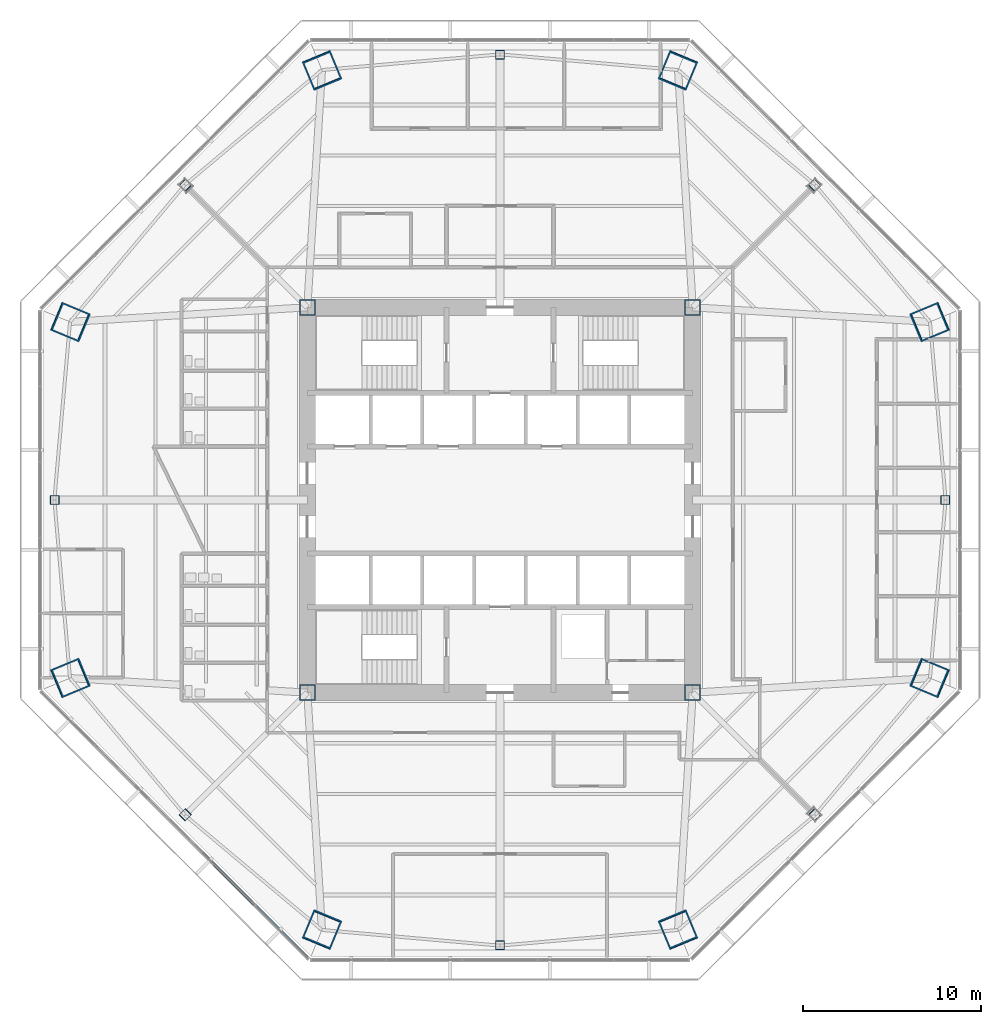
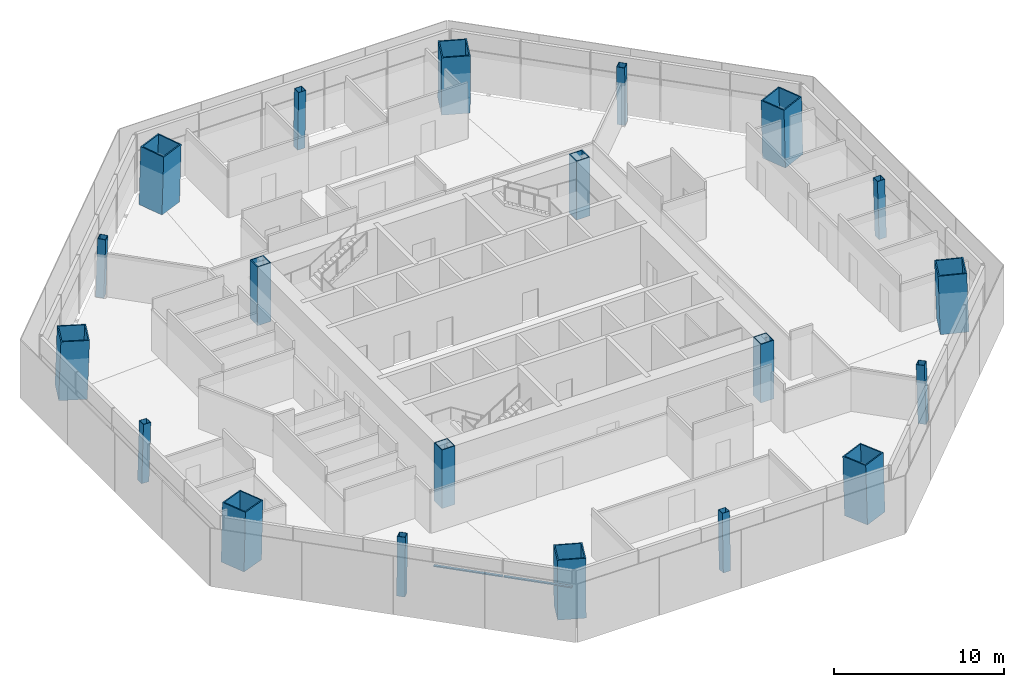
# One storey, part 1 of 16: 20 columns, 2 members, 1 element without a shape of its own.
"""IFC4 building model written with IfcOpenShell, lengths in metres."""

from ifc_helpers import new_model, si_unit, direction, frame, origin, origin_2d, place, context, subcontext, project, spatial, rectangle, hollow_rectangle, extrude, source, transform, mapped, material, material_profile, profile_set, type_object, type_shapes, element, aggregate, save


model = new_model("IFC4")

# Units and contexts
model_context = context("Model", 3, precision=1e-05, world=origin(), true_north=direction((0.0, 1.0)))
body_context = subcontext(model_context, "Body", "Model", "MODEL_VIEW")
ifc_project = project(units=[si_unit("LENGTHUNIT", "METRE"), si_unit("AREAUNIT", "SQUARE_METRE"), si_unit("VOLUMEUNIT", "CUBIC_METRE"), si_unit("PLANEANGLEUNIT", "RADIAN"), si_unit("MASSUNIT", "GRAM", prefix="KILO")], contexts=[model_context])

# Site, building, storey
site_placement = place(None, origin())
site = spatial("IfcSite", under=ifc_project, at=site_placement, CompositionType="ELEMENT")
building_placement = place(site_placement, origin())
building = spatial("IfcBuilding", under=site, at=building_placement, Name="Mashrafa Tower", CompositionType="ELEMENT")
storey_placement = place(building_placement, frame((0.0, 0.0, 79.199951171875)))
storey = spatial("IfcBuildingStorey", under=building, at=storey_placement, Name="L17", CompositionType="ELEMENT", Elevation=79.199951171875)

# Columns
ifc_material_1 = material(Name="Steel ASTM A572 Gr 50", Category="steel")
ifc_material_profile_1 = material_profile(ifc_material_1, hollow_rectangle(XDim=0.89990234375, YDim=0.89990234375, WallThickness=0.06005859375, at=origin_2d()), Name="BOX900X900X60")
ifc_profile_set_1 = profile_set([ifc_material_profile_1], Name="Steel ASTM A572 Gr 50")
column_type_1 = type_object("IfcColumnType", Name="Core corner column BOX900X900X60", PredefinedType="COLUMN", material=ifc_profile_set_1)
for number, where, z_axis, x_axis, name in (
    (1, (10.800048828125, 10.800048828125, 0.0), (0.0, 0.0, 1.0), (1.0, 0.0, 0.0), "Core corner column CC-NE L17"),
    (2, (-10.800048828125, 10.800048828125, 0.0), (0.0, 0.0, 1.0), (1.0, 0.0, 0.0), "Core corner column CC-NW L17"),
    (3, (-10.800048828125, -10.800048828125, 0.0), (0.0, 0.0, 1.0), (1.0, 0.0, 0.0), "Core corner column CC-SW L17"),
    (4, (10.800048828125, -10.800048828125, 0.0), (0.0, 0.0, 1.0), (1.0, 0.0, 0.0), "Core corner column CC-SE L17"),
):
    element("IfcColumn", number, at=place(storey_placement, frame(where, z_axis=z_axis, x_axis=x_axis)), inside=storey, type_object=column_type_1, Name=name, PredefinedType="COLUMN", context=body_context, shape_type="SweptSolid", body=[
        extrude(hollow_rectangle(XDim=0.89990234375, YDim=0.89990234375, WallThickness=0.06005859375, at=origin_2d()), origin(), (0.0, 0.0, 1.0), 4.199951171875),
    ])
ifc_material_2 = material(Name="Steel ASTM A572 Gr 50", Category="steel")
ifc_material_profile_2 = material_profile(ifc_material_2, hollow_rectangle(XDim=1.699951171875, YDim=1.699951171875, WallThickness=0.080078125, at=origin_2d()), Name="BOX1700X1700X80")
ifc_profile_set_2 = profile_set([ifc_material_profile_2], Name="Steel ASTM A572 Gr 50")
column_type_2 = type_object("IfcColumnType", Name="Mega column CFST BOX1700X1700X80", PredefinedType="COLUMN", material=ifc_profile_set_2)
for number, where, z_axis, x_axis, name in (
    (5, (24.095947265625, 9.98095703125, 0.0), (-0.028237674468, -0.01173664659, 0.999532333078), (0.38380575713, -0.923413851312, 0.0), "Mega column MC1 L17"),
    (6, (9.98095703125, 24.095947265625, 0.0), (-0.01173664659, -0.028237674468, 0.999532333078), (0.923413851312, -0.38380575713, 0.0), "Mega column MC2 L17"),
    (7, (-9.98095703125, 24.095947265625, 0.0), (0.01173664659, -0.028237674468, 0.999532333078), (0.923413851312, 0.38380575713, 0.0), "Mega column MC3 L17"),
    (8, (-24.095947265625, 9.98095703125, 0.0), (0.028237674468, -0.01173664659, 0.999532333078), (0.38380575713, 0.923413851312, 0.0), "Mega column MC4 L17"),
    (9, (-24.095947265625, -9.98095703125, 0.0), (0.028237674468, 0.01173664659, 0.999532333078), (-0.38380575713, 0.923413851312, 0.0), "Mega column MC5 L17"),
    (10, (-9.98095703125, -24.095947265625, 0.0), (0.01173664659, 0.028237674468, 0.999532333078), (-0.923413851312, 0.38380575713, 0.0), "Mega column MC6 L17"),
    (11, (9.98095703125, -24.095947265625, 0.0), (-0.01173664659, 0.028237674468, 0.999532333078), (-0.923413851312, -0.38380575713, 0.0), "Mega column MC7 L17"),
    (12, (24.095947265625, -9.98095703125, 0.0), (-0.028237674468, 0.01173664659, 0.999532333078), (-0.38380575713, -0.923413851312, 0.0), "Mega column MC8 L17"),
):
    element("IfcColumn", number, at=place(storey_placement, frame(where, z_axis=z_axis, x_axis=x_axis)), inside=storey, type_object=column_type_2, Name=name, PredefinedType="COLUMN", context=body_context, shape_type="SweptSolid", body=[
        extrude(hollow_rectangle(XDim=1.699951171875, YDim=1.699951171875, WallThickness=0.080078125, at=origin_2d()), origin(), (0.0, 0.0, 1.0), 4.201904296875),
    ])
ifc_material_3 = material(Name="Steel ASTM A572 Gr 50", Category="steel")
ifc_material_profile_3 = material_profile(ifc_material_3, hollow_rectangle(XDim=0.5, YDim=0.5, WallThickness=0.02490234375, at=origin_2d()), Name="BOX500X500X25")
ifc_profile_set_3 = profile_set([ifc_material_profile_3], Name="Steel ASTM A572 Gr 50")
column_type_3 = type_object("IfcColumnType", Name="Secondary column BOX500X500X25", PredefinedType="COLUMN", material=ifc_profile_set_3)
for number, where, z_axis, x_axis, name in (
    (13, (24.974365234375, 0.0, 0.0), (-0.028297679255, 0.0, 0.99959954049), (0.0, -1.0, 0.0), "Secondary column SC1 L17"),
    (14, (17.659423828125, 17.659423828125, 0.0), (-0.019988521213, -0.019988521213, 0.999600379171), (0.707106781187, -0.707106781187, 0.0), "Secondary column SC2 L17"),
    (15, (0.0, 24.974365234375, 0.0), (0.0, -0.028297679255, 0.99959954049), (1.0, 0.0, 0.0), "Secondary column SC3 L17"),
    (16, (-17.659423828125, 17.659423828125, 0.0), (0.019988521213, -0.019988521213, 0.999600379171), (0.707106781187, 0.707106781187, 0.0), "Secondary column SC4 L17"),
    (17, (-24.974365234375, 0.0, 0.0), (0.028297679255, 0.0, 0.99959954049), (0.0, 1.0, 0.0), "Secondary column SC5 L17"),
    (18, (-17.659423828125, -17.659423828125, 0.0), (0.019988521213, 0.019988521213, 0.999600379171), (-0.707106781187, 0.707106781187, 0.0), "Secondary column SC6 L17"),
    (19, (0.0, -24.974365234375, 0.0), (0.0, 0.028297679255, 0.99959954049), (-1.0, 0.0, 0.0), "Secondary column SC7 L17"),
    (20, (17.659423828125, -17.659423828125, 0.0), (-0.019988521213, 0.019988521213, 0.999600379171), (-0.707106781187, -0.707106781187, 0.0), "Secondary column SC8 L17"),
):
    element("IfcColumn", number, at=place(storey_placement, frame(where, z_axis=z_axis, x_axis=x_axis)), inside=storey, type_object=column_type_3, Name=name, PredefinedType="COLUMN", context=body_context, shape_type="SweptSolid", body=[
        extrude(hollow_rectangle(XDim=0.5, YDim=0.5, WallThickness=0.02490234375, at=origin_2d()), origin(), (0.0, 0.0, 1.0), 4.20166015625),
    ])

# Curtain wall, members
ifc_material_4 = material(Name="Unitised aluminium curtain wall", Category="aluminium")
curtain_wall_type = type_object("IfcCurtainWallType", Name="Office curtain wall, zone 1 CW-A 200 deep", PredefinedType="NOTDEFINED", material=ifc_material_4)
curtain_wall_placement = place(storey_placement, origin())
curtain_wall = element("IfcCurtainWall", 21, at=curtain_wall_placement, inside=storey, type_object=curtain_wall_type, Name="Office curtain wall, zone 1 L17 south-west", PredefinedType="NOTDEFINED")
ifc_material_5 = material(Name="Extruded aluminium transom", Category="aluminium")
ifc_material_profile_4 = material_profile(ifc_material_5, rectangle(XDim=0.159912109375, YDim=0.080078125, at=origin_2d()), Name="Transom 80x160")
ifc_profile_set_4 = profile_set([ifc_material_profile_4], Name="Extruded aluminium transom")
member_type = type_object("IfcMemberType", Name="Transom CW-A 80 x 160", PredefinedType="MULLION", material=ifc_profile_set_4)
shared_shape_1 = source(origin(), body_context, "Body", "SweptSolid", [
    extrude(rectangle(XDim=0.159912109375, YDim=0.080078125, at=origin_2d()), origin(), (0.0, 0.0, 1.0), 4.15234375),
])
member_1_placement = place(storey_placement, frame((-13.694580078125, -22.755859375, 3.0), z_axis=(0.707136178438, -0.707077382713, 0.0), x_axis=(0.707077382713, 0.707136178438, 0.0)))
member_1 = element("IfcMember", 22, at=member_1_placement, type_object=member_type, Name="CW-A transom 5", PredefinedType="MULLION", context=body_context, shape_type="MappedRepresentation", body=[
    mapped(shared_shape_1, transform((0.0, 0.0, 0.0))),
])
shared_shape_2 = source(origin(), body_context, "Body", "SweptSolid", [
    extrude(rectangle(XDim=0.159912109375, YDim=0.080078125, at=origin_2d()), origin(), (0.0, 0.0, 1.0), 4.184814453125),
])
type_shapes(member_type, [shared_shape_1, shared_shape_2])
member_2_placement = place(storey_placement, frame((-16.69970703125, -19.750732421875, 3.0), z_axis=(0.707135950453, -0.707077610716, 0.0), x_axis=(0.707077610716, 0.707135950453, 0.0)))
member_2 = element("IfcMember", 23, at=member_2_placement, type_object=member_type, Name="CW-A transom 4", PredefinedType="MULLION", context=body_context, shape_type="MappedRepresentation", body=[
    mapped(shared_shape_2, transform((0.0, 0.0, 0.0))),
])
aggregate(curtain_wall, [member_2, member_1])

save(model, "model.ifc")
